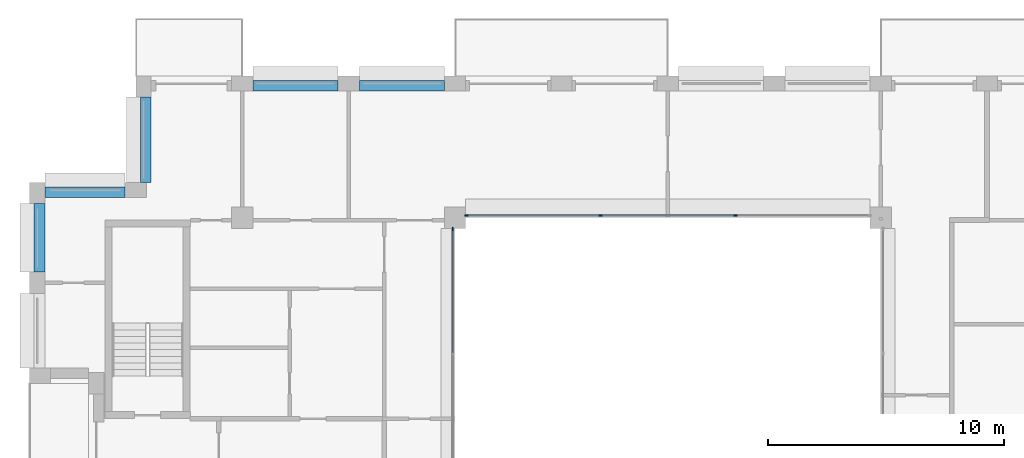
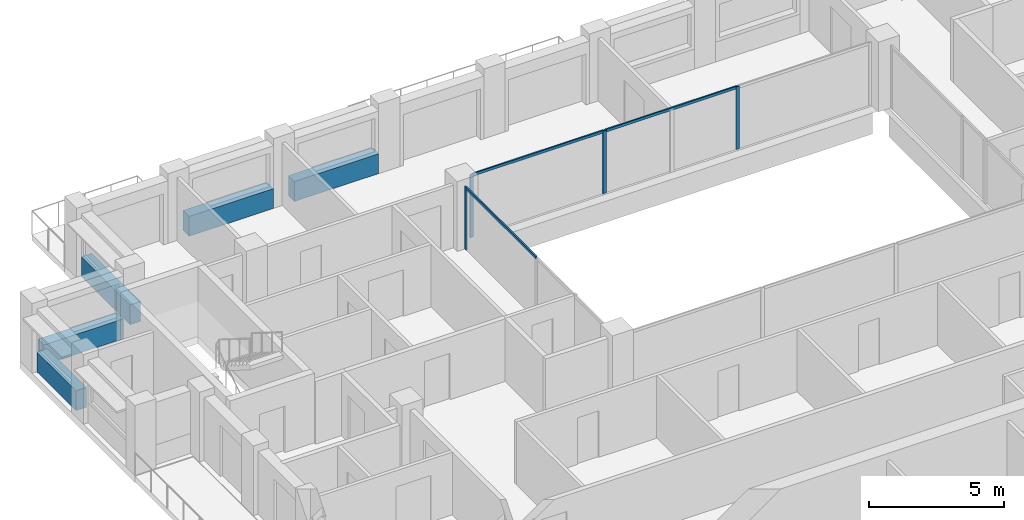
# One storey, part 5 of 16: 7 members, 5 beams, 2 elements without a shape of their own.
"""IFC4 building model written with IfcOpenShell, lengths in metres."""

from ifc_helpers import new_model, si_unit, direction, frame, origin, origin_2d, place, context, subcontext, project, spatial, rectangle, extrude, material, layer, layer_set, material_profile, profile_set, type_object, element, aggregate, save


model = new_model("IFC4")

# Units and contexts
model_context = context("Model", 3, precision=1e-05, world=origin(), true_north=direction((0.0, 1.0)))
body_context = subcontext(model_context, "Body", "Model", "MODEL_VIEW")
ifc_project = project(units=[si_unit("LENGTHUNIT", "METRE"), si_unit("AREAUNIT", "SQUARE_METRE"), si_unit("VOLUMEUNIT", "CUBIC_METRE"), si_unit("PLANEANGLEUNIT", "RADIAN"), si_unit("MASSUNIT", "GRAM", prefix="KILO")], contexts=[model_context])

# Site, building, storey
site_placement = place(None, origin())
site = spatial("IfcSite", under=ifc_project, at=site_placement, CompositionType="ELEMENT")
building_placement = place(site_placement, origin())
building = spatial("IfcBuilding", under=site, at=building_placement, Name="Brigalow Station Residences", CompositionType="ELEMENT")
storey_placement = place(building_placement, frame((0.0, 0.0, 201.14990234375)))
storey = spatial("IfcBuildingStorey", under=building, at=storey_placement, Name="L57", CompositionType="ELEMENT", Elevation=201.14990234375)

# Curtain wall, members
ifc_material_1 = material(Name="Aluminium", Category="aluminium")
ifc_layer = layer(ifc_material_1, 0.14990234375)
ifc_layer_set = layer_set([ifc_layer], Name="ATRIUM FIRE-RATED GLAZING CURTAIN WALL")
curtain_wall_type = type_object("IfcCurtainWallType", Name="ATRIUM FIRE-RATED GLAZING CURTAIN WALL", PredefinedType="NOTDEFINED", material=ifc_layer_set)
curtain_wall_1_placement = place(storey_placement, origin())
curtain_wall_1 = element("IfcCurtainWall", 1, at=curtain_wall_1_placement, inside=storey, type_object=curtain_wall_type, Name="L57/cw/atrium-N", PredefinedType="NOTDEFINED")
ifc_material_2 = material(Name="Aluminium", Category="aluminium")
ifc_material_profile_1 = material_profile(ifc_material_2, rectangle(XDim=0.06005859375, YDim=0.14990234375, at=origin_2d()), Name="ATRIUM FIRE-RATED GLAZING MULLION 60x150")
ifc_profile_set_1 = profile_set([ifc_material_profile_1], Name="Aluminium")
member_type_1 = type_object("IfcMemberType", Name="ATRIUM FIRE-RATED GLAZING MULLION 60x150", PredefinedType="MULLION", material=ifc_profile_set_1)
member_1_placement = place(storey_placement, frame((38.85009765625, 35.60009765625, 0.0), z_axis=(0.0, 0.0, 1.0), x_axis=(0.0, -1.0, 0.0)))
member_1 = element("IfcMember", 2, at=member_1_placement, type_object=member_type_1, Name="L57/cw/atrium-N/M01", PredefinedType="MULLION", context=body_context, shape_type="SweptSolid", body=[
    extrude(rectangle(XDim=0.06005859375, YDim=0.14990234375, at=origin_2d()), origin(), (0.0, 0.0, 1.0), 2.830078125),
])
member_2_placement = place(storey_placement, frame((33.14990234375, 35.60009765625, 0.0), z_axis=(0.0, 0.0, 1.0), x_axis=(0.0, -1.0, 0.0)))
member_2 = element("IfcMember", 3, at=member_2_placement, type_object=member_type_1, Name="L57/cw/atrium-N/M02", PredefinedType="MULLION", context=body_context, shape_type="SweptSolid", body=[
    extrude(rectangle(XDim=0.06005859375, YDim=0.14990234375, at=origin_2d()), origin(), (0.0, 0.0, 1.0), 2.830078125),
])
member_3_placement = place(storey_placement, frame((27.47998046875, 35.60009765625, 0.0), z_axis=(0.0, 0.0, 1.0), x_axis=(0.0, -1.0, 0.0)))
member_3 = element("IfcMember", 4, at=member_3_placement, type_object=member_type_1, Name="L57/cw/atrium-N/M03", PredefinedType="MULLION", context=body_context, shape_type="SweptSolid", body=[
    extrude(rectangle(XDim=0.06005859375, YDim=0.14990234375, at=origin_2d()), origin(), (0.0, 0.0, 1.0), 2.830078125),
])

# Curtain wall, member
curtain_wall_2_placement = place(storey_placement, origin())
curtain_wall_2 = element("IfcCurtainWall", 5, at=curtain_wall_2_placement, inside=storey, type_object=curtain_wall_type, Name="L57/cw/atrium-W", PredefinedType="NOTDEFINED")
member_4_placement = place(storey_placement, frame((26.89990234375, 35.02001953125, 0.0), z_axis=(0.0, 0.0, 1.0), x_axis=(1.0, 0.0, 0.0)))
member_4 = element("IfcMember", 6, at=member_4_placement, type_object=member_type_1, Name="L57/cw/atrium-W/M00", PredefinedType="MULLION", context=body_context, shape_type="SweptSolid", body=[
    extrude(rectangle(XDim=0.06005859375, YDim=0.14990234375, at=origin_2d()), origin(), (0.0, 0.0, 1.0), 2.830078125),
])

# Member
ifc_material_3 = material(Name="Aluminium", Category="aluminium")
ifc_material_profile_2 = material_profile(ifc_material_3, rectangle(XDim=0.06005859375, YDim=0.1201171875, at=origin_2d()), Name="ATRIUM FIRE-RATED GLAZING TRANSOM 60x120")
ifc_profile_set_2 = profile_set([ifc_material_profile_2], Name="Aluminium")
member_type_2 = type_object("IfcMemberType", Name="ATRIUM FIRE-RATED GLAZING TRANSOM 60x120", PredefinedType="USERDEFINED", material=ifc_profile_set_2)
member_5_placement = place(storey_placement, frame((38.820068359375, 35.60009765625, 2.800048828125), z_axis=(-1.0, 0.0, 0.0), x_axis=(0.0, -1.0, 0.0)))
member_5 = element("IfcMember", 7, at=member_5_placement, type_object=member_type_2, Name="L57/cw/atrium-N/T01-00", ObjectType="TRANSOM", PredefinedType="USERDEFINED", context=body_context, shape_type="SweptSolid", body=[
    extrude(rectangle(XDim=0.06005859375, YDim=0.1201171875, at=origin_2d()), origin(), (0.0, 0.0, 1.0), 5.64013671875),
])

member_6_placement = place(storey_placement, frame((33.1201171875, 35.60009765625, 2.800048828125), z_axis=(-1.0, 0.0, 0.0), x_axis=(0.0, -1.0, 0.0)))
member_6 = element("IfcMember", 8, at=member_6_placement, type_object=member_type_2, Name="L57/cw/atrium-N/T02-00", ObjectType="TRANSOM", PredefinedType="USERDEFINED", context=body_context, shape_type="SweptSolid", body=[
    extrude(rectangle(XDim=0.06005859375, YDim=0.1201171875, at=origin_2d()), origin(), (0.0, 0.0, 1.0), 5.610107421875),
])

aggregate(curtain_wall_1, [member_1, member_2, member_3, member_5, member_6])

member_7_placement = place(storey_placement, frame((26.89990234375, 34.989990234375, 2.800048828125), z_axis=(0.0, -1.0, 0.0), x_axis=(1.0, 0.0, 0.0)))
member_7 = element("IfcMember", 9, at=member_7_placement, type_object=member_type_2, Name="L57/cw/atrium-W/T00-00", ObjectType="TRANSOM", PredefinedType="USERDEFINED", context=body_context, shape_type="SweptSolid", body=[
    extrude(rectangle(XDim=0.06005859375, YDim=0.1201171875, at=origin_2d()), origin(), (0.0, 0.0, 1.0), 5.2099609375),
])

aggregate(curtain_wall_2, [member_4, member_7])

# Beams
ifc_material_4 = material(Name="Concrete C50", Category="concrete")
ifc_material_profile_3 = material_profile(ifc_material_4, rectangle(XDim=0.449951171875, YDim=0.89990234375, at=origin_2d()), Name="RC450x900")
ifc_profile_set_3 = profile_set([ifc_material_profile_3], Name="Concrete C50")
beam_type = type_object("IfcBeamType", Name="SPANDREL BEAM 450x900 C50", PredefinedType="SPANDREL", material=ifc_profile_set_3)
for number, where, z_axis, x_axis, name in (
    (10, (26.550048828125, 41.074951171875, 0.4501953125), (-1.0, 0.0, 0.0), (0.0, -1.0, 0.0), "L57/spandrel/W-L57-29"),
    (11, (22.050048828125, 41.074951171875, 0.4501953125), (-1.0, 0.0, 0.0), (0.0, -1.0, 0.0), "L57/spandrel/W-L57-30"),
    (12, (13.925048828125, 40.60009765625, 0.4501953125), (0.0, -1.0, 0.0), (1.0, 0.0, 0.0), "L57/spandrel/W-L57-32"),
):
    element("IfcBeam", number, at=place(storey_placement, frame(where, z_axis=z_axis, x_axis=x_axis)), inside=storey, type_object=beam_type, Name=name, PredefinedType="SPANDREL", context=body_context, shape_type="SweptSolid", body=[
        extrude(rectangle(XDim=0.449951171875, YDim=0.89990234375, at=origin_2d()), origin(), (0.0, 0.0, 1.0), 3.60009765625),
    ])
beam_1_placement = place(storey_placement, frame((13.050048828125, 36.574951171875, 0.4501953125), z_axis=(-1.0, 0.0, 0.0), x_axis=(0.0, -1.0, 0.0)))
element("IfcBeam", 13, at=beam_1_placement, inside=storey, type_object=beam_type, Name="L57/spandrel/W-L57-33", PredefinedType="SPANDREL", context=body_context, shape_type="SweptSolid", body=[
    extrude(rectangle(XDim=0.449951171875, YDim=0.89990234375, at=origin_2d()), origin(), (0.0, 0.0, 1.0), 3.400146484375),
])
beam_2_placement = place(storey_placement, frame((9.425048828125, 36.10009765625, 0.4501953125), z_axis=(0.0, -1.0, 0.0), x_axis=(1.0, 0.0, 0.0)))
element("IfcBeam", 14, at=beam_2_placement, inside=storey, type_object=beam_type, Name="L57/spandrel/W-L57-34", PredefinedType="SPANDREL", context=body_context, shape_type="SweptSolid", body=[
    extrude(rectangle(XDim=0.449951171875, YDim=0.89990234375, at=origin_2d()), origin(), (0.0, 0.0, 1.0), 2.900146484375),
])

save(model, "model.ifc")
